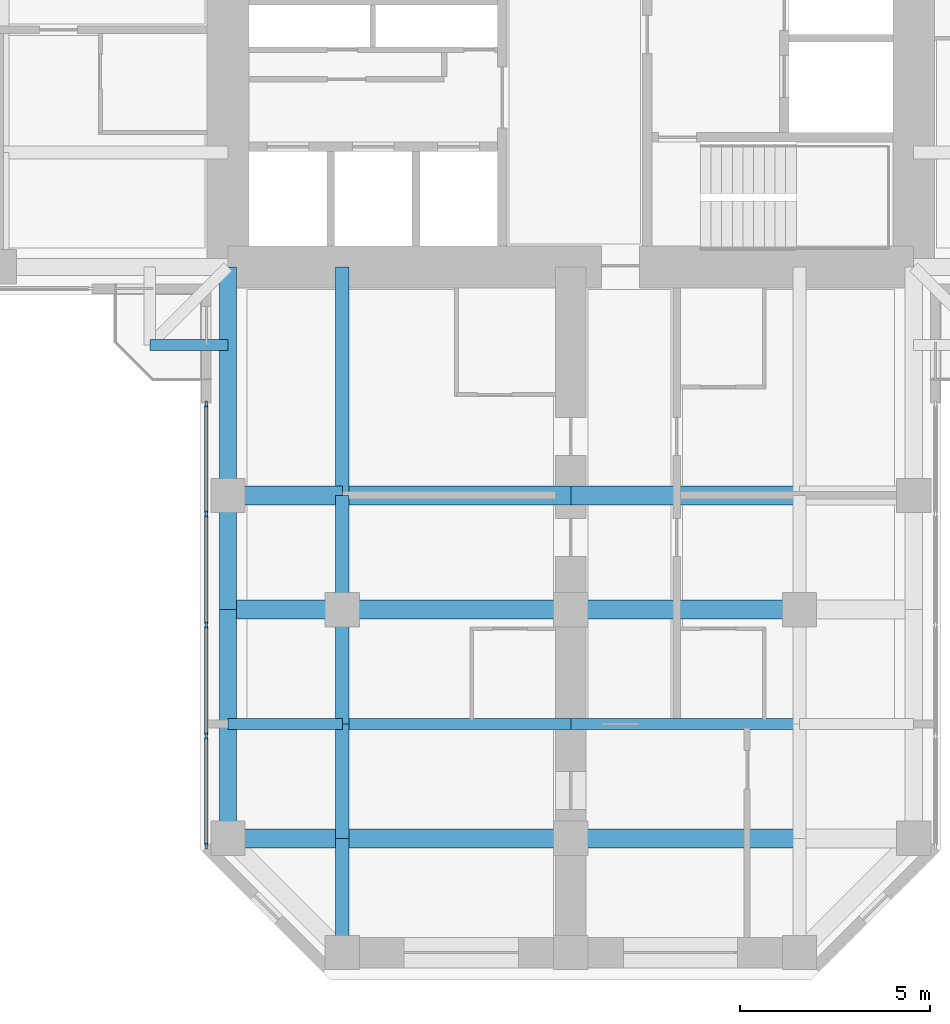
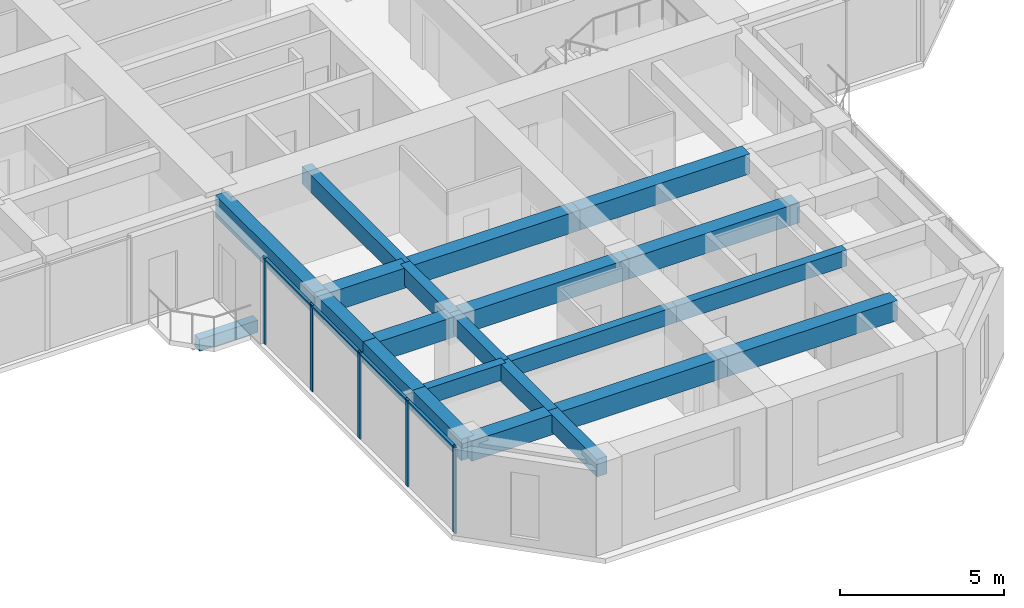
# One storey, part 2 of 14: 22 beams, 9 members, 1 element without a shape of its own.
"""IFC4 building model written with IfcOpenShell, lengths in metres."""

from ifc_helpers import new_model, si_unit, direction, frame, origin, origin_2d, place, context, subcontext, project, spatial, rectangle, extrude, material, material_profile, profile_set, type_object, element, aggregate, save


model = new_model("IFC4")

# Units and contexts
model_context = context("Model", 3, precision=1e-05, world=origin(), true_north=direction((0.0, 1.0)))
body_context = subcontext(model_context, "Body", "Model", "MODEL_VIEW")
ifc_project = project(units=[si_unit("LENGTHUNIT", "METRE"), si_unit("AREAUNIT", "SQUARE_METRE"), si_unit("VOLUMEUNIT", "CUBIC_METRE"), si_unit("PLANEANGLEUNIT", "RADIAN"), si_unit("MASSUNIT", "GRAM", prefix="KILO")], contexts=[model_context])

# Site, building, storey
site_placement = place(None, origin())
site = spatial("IfcSite", under=ifc_project, at=site_placement, CompositionType="ELEMENT")
building_placement = place(site_placement, origin())
building = spatial("IfcBuilding", under=site, at=building_placement, Name="Torre Cruceta", CompositionType="ELEMENT")
storey_placement = place(building_placement, frame((0.0, 0.0, 176.300048828125)))
storey = spatial("IfcBuildingStorey", under=building, at=storey_placement, Name="L43", CompositionType="ELEMENT", Elevation=176.300048828125)

# Beams
ifc_material_1 = material(Name="Concrete G60 (fck 60 MPa)", Category="concrete")
ifc_material_profile_1 = material_profile(ifc_material_1, rectangle(XDim=0.300048828125, YDim=0.449951171875, at=origin_2d()), Name="RC 300X450")
ifc_profile_set_1 = profile_set([ifc_material_profile_1], Name="Concrete G60 (fck 60 MPa)")
beam_type_1 = type_object("IfcBeamType", Name="BALCONY CANTILEVER BEAM RC 300X450", PredefinedType="BEAM", material=ifc_profile_set_1)
beam_1_placement = place(storey_placement, frame((-9.0, -11.050537109375, -0.405029296875), z_axis=(-1.0, 0.0, 0.0), x_axis=(0.0, -1.0, 0.0)))
element("IfcBeam", 1, at=beam_1_placement, inside=storey, type_object=beam_type_1, Name="BB1 balcony edge beam L43 W-Y", PredefinedType="BEAM", context=body_context, shape_type="SweptSolid", body=[
    extrude(rectangle(XDim=0.300048828125, YDim=0.449951171875, at=origin_2d()), origin(), (0.0, 0.0, 1.0), 2.050537109375),
])
ifc_material_2 = material(Name="Concrete G60 (fck 60 MPa)", Category="concrete")
ifc_material_profile_2 = material_profile(ifc_material_2, rectangle(XDim=0.35009765625, YDim=0.64990234375, at=origin_2d()), Name="RC 350X650")
ifc_profile_set_2 = profile_set([ifc_material_profile_2], Name="Concrete G60 (fck 60 MPa)")
beam_type_2 = type_object("IfcBeamType", Name="COLUMN LINE BEAM RC 350X650", PredefinedType="BEAM", material=ifc_profile_set_2)
beam_2_placement = place(storey_placement, frame((-6.0, -9.0, 2.89501953125), z_axis=(0.0, -1.0, 0.0), x_axis=(1.0, 0.0, 0.0)))
element("IfcBeam", 2, at=beam_2_placement, inside=storey, type_object=beam_type_2, Name="LB7 L43 S col- 1", PredefinedType="BEAM", context=body_context, shape_type="SweptSolid", body=[
    extrude(rectangle(XDim=0.35009765625, YDim=0.64990234375, at=origin_2d()), origin(), (0.0, 0.0, 1.0), 6.0),
])
for number, where, z_axis, x_axis, name in (
    (3, (-6.0, -15.0, 2.89501953125), (0.0, -1.0, 0.0), (1.0, 0.0, 0.0), "LB7 L43 S col- 2"),
    (4, (-6.0, -18.0, 2.89501953125), (0.0, -1.0, 0.0), (1.0, 0.0, 0.0), "LB7 L43 S col- 3"),
    (5, (-6.0, -21.0, 2.89501953125), (0.0, -1.0, 0.0), (1.0, 0.0, 0.0), "LB7 L43 S col- 4"),
    (6, (-6.0, -24.0, 2.89501953125), (0.0, -1.0, 0.0), (1.0, 0.0, 0.0), "LB7 L43 S col- 5"),
):
    element("IfcBeam", number, at=place(storey_placement, frame(where, z_axis=z_axis, x_axis=x_axis)), inside=storey, type_object=beam_type_2, Name=name, PredefinedType="BEAM", context=body_context, shape_type="SweptSolid", body=[
        extrude(rectangle(XDim=0.35009765625, YDim=0.64990234375, at=origin_2d()), origin(), (0.0, 0.0, 1.0), 3.0),
    ])
ifc_material_3 = material(Name="Concrete G60 (fck 60 MPa)", Category="concrete")
ifc_material_profile_3 = material_profile(ifc_material_3, rectangle(XDim=0.5, YDim=0.75, at=origin_2d()), Name="RC 500X750")
ifc_profile_set_3 = profile_set([ifc_material_profile_3], Name="Concrete G60 (fck 60 MPa)")
beam_type_3 = type_object("IfcBeamType", Name="CROSS BEAM RC 500X750", PredefinedType="BEAM", material=ifc_profile_set_3)
beam_3_placement = place(storey_placement, frame((-9.0, -15.0, 2.844970703125), z_axis=(1.0, 0.0, 0.0), x_axis=(0.0, 1.0, 0.0)))
element("IfcBeam", 7, at=beam_3_placement, inside=storey, type_object=beam_type_3, Name="GB6 L43 S cross15 1", PredefinedType="BEAM", context=body_context, shape_type="SweptSolid", body=[
    extrude(rectangle(XDim=0.5, YDim=0.75, at=origin_2d()), origin(), (0.0, 0.0, 1.0), 3.0),
])
for number, where, z_axis, x_axis, name in (
    (8, (-6.0, -15.0, 2.844970703125), (1.0, 0.0, 0.0), (0.0, 1.0, 0.0), "GB6 L43 S cross15 2"),
    (9, (0.0, -15.0, 2.844970703125), (1.0, 0.0, 0.0), (0.0, 1.0, 0.0), "GB6 L43 S cross15 3"),
):
    element("IfcBeam", number, at=place(storey_placement, frame(where, z_axis=z_axis, x_axis=x_axis)), inside=storey, type_object=beam_type_3, Name=name, PredefinedType="BEAM", context=body_context, shape_type="SweptSolid", body=[
        extrude(rectangle(XDim=0.5, YDim=0.75, at=origin_2d()), origin(), (0.0, 0.0, 1.0), 6.0),
    ])
beam_4_placement = place(storey_placement, frame((-9.0, -18.0, 2.844970703125), z_axis=(1.0, 0.0, 0.0), x_axis=(0.0, 1.0, 0.0)))
element("IfcBeam", 10, at=beam_4_placement, inside=storey, type_object=beam_type_3, Name="GB6 L43 S cross18 1", PredefinedType="BEAM", context=body_context, shape_type="SweptSolid", body=[
    extrude(rectangle(XDim=0.5, YDim=0.75, at=origin_2d()), origin(), (0.0, 0.0, 1.0), 3.0),
])
for number, where, z_axis, x_axis, name in (
    (11, (-6.0, -18.0, 2.844970703125), (1.0, 0.0, 0.0), (0.0, 1.0, 0.0), "GB6 L43 S cross18 2"),
    (12, (0.0, -18.0, 2.844970703125), (1.0, 0.0, 0.0), (0.0, 1.0, 0.0), "GB6 L43 S cross18 3"),
):
    element("IfcBeam", number, at=place(storey_placement, frame(where, z_axis=z_axis, x_axis=x_axis)), inside=storey, type_object=beam_type_3, Name=name, PredefinedType="BEAM", context=body_context, shape_type="SweptSolid", body=[
        extrude(rectangle(XDim=0.5, YDim=0.75, at=origin_2d()), origin(), (0.0, 0.0, 1.0), 6.0),
    ])
beam_5_placement = place(storey_placement, frame((-9.0, -24.0, 2.844970703125), z_axis=(1.0, 0.0, 0.0), x_axis=(0.0, 1.0, 0.0)))
element("IfcBeam", 13, at=beam_5_placement, inside=storey, type_object=beam_type_3, Name="GB6 L43 S cross24 1", PredefinedType="BEAM", context=body_context, shape_type="SweptSolid", body=[
    extrude(rectangle(XDim=0.5, YDim=0.75, at=origin_2d()), origin(), (0.0, 0.0, 1.0), 3.0),
])
for number, where, z_axis, x_axis, name in (
    (14, (-6.0, -24.0, 2.844970703125), (1.0, 0.0, 0.0), (0.0, 1.0, 0.0), "GB6 L43 S cross24 2"),
    (15, (0.0, -24.0, 2.844970703125), (1.0, 0.0, 0.0), (0.0, 1.0, 0.0), "GB6 L43 S cross24 3"),
):
    element("IfcBeam", number, at=place(storey_placement, frame(where, z_axis=z_axis, x_axis=x_axis)), inside=storey, type_object=beam_type_3, Name=name, PredefinedType="BEAM", context=body_context, shape_type="SweptSolid", body=[
        extrude(rectangle(XDim=0.5, YDim=0.75, at=origin_2d()), origin(), (0.0, 0.0, 1.0), 6.0),
    ])

# Curtain wall, members
ifc_material_4 = material(Name="Aluminium unitised curtain wall", Category="aluminium")
curtain_wall_type = type_object("IfcCurtainWallType", Name="CURTAIN WALL CW-C CO-LIVING", PredefinedType="USERDEFINED", material=ifc_material_4)
curtain_wall_placement = place(storey_placement, origin())
curtain_wall = element("IfcCurtainWall", 16, at=curtain_wall_placement, inside=storey, type_object=curtain_wall_type, Name="CW-C L43 S side 15", ObjectType="UNITISED", PredefinedType="USERDEFINED")
ifc_material_5 = material(Name="Aluminium mullion", Category="aluminium")
ifc_material_profile_4 = material_profile(ifc_material_5, rectangle(XDim=0.06005859375, YDim=0.159912109375, at=origin_2d()), Name="AL 60X160")
ifc_profile_set_4 = profile_set([ifc_material_profile_4], Name="Aluminium mullion")
member_type_1 = type_object("IfcMemberType", Name="CW-C MULLION 60X160", PredefinedType="MULLION", material=ifc_profile_set_4)
member_1_placement = place(storey_placement, frame((-9.570068359375, -12.60009765625, 0.0), z_axis=(0.0, 0.0, 1.0), x_axis=(1.0, 0.0, 0.0)))
member_1 = element("IfcMember", 17, at=member_1_placement, type_object=member_type_1, Name="CW-C mullion 1", PredefinedType="MULLION", context=body_context, shape_type="SweptSolid", body=[
    extrude(rectangle(XDim=0.06005859375, YDim=0.159912109375, at=origin_2d()), origin(), (0.0, 0.0, 1.0), 3.219970703125),
])
member_2_placement = place(storey_placement, frame((-9.570068359375, -15.486572265625, 0.0), z_axis=(0.0, 0.0, 1.0), x_axis=(1.0, 0.0, 0.0)))
member_2 = element("IfcMember", 18, at=member_2_placement, type_object=member_type_1, Name="CW-C mullion 2", PredefinedType="MULLION", context=body_context, shape_type="SweptSolid", body=[
    extrude(rectangle(XDim=0.06005859375, YDim=0.159912109375, at=origin_2d()), origin(), (0.0, 0.0, 1.0), 3.219970703125),
])
member_3_placement = place(storey_placement, frame((-9.570068359375, -18.403076171875, 0.0), z_axis=(0.0, 0.0, 1.0), x_axis=(1.0, 0.0, 0.0)))
member_3 = element("IfcMember", 19, at=member_3_placement, type_object=member_type_1, Name="CW-C mullion 3", PredefinedType="MULLION", context=body_context, shape_type="SweptSolid", body=[
    extrude(rectangle(XDim=0.06005859375, YDim=0.159912109375, at=origin_2d()), origin(), (0.0, 0.0, 1.0), 3.219970703125),
])
member_4_placement = place(storey_placement, frame((-9.570068359375, -21.319580078125, 0.0), z_axis=(0.0, 0.0, 1.0), x_axis=(1.0, 0.0, 0.0)))
member_4 = element("IfcMember", 20, at=member_4_placement, type_object=member_type_1, Name="CW-C mullion 4", PredefinedType="MULLION", context=body_context, shape_type="SweptSolid", body=[
    extrude(rectangle(XDim=0.06005859375, YDim=0.159912109375, at=origin_2d()), origin(), (0.0, 0.0, 1.0), 3.219970703125),
])
member_5_placement = place(storey_placement, frame((-9.570068359375, -24.2060546875, 0.0), z_axis=(0.0, 0.0, 1.0), x_axis=(1.0, 0.0, 0.0)))
member_5 = element("IfcMember", 21, at=member_5_placement, type_object=member_type_1, Name="CW-C mullion 5", PredefinedType="MULLION", context=body_context, shape_type="SweptSolid", body=[
    extrude(rectangle(XDim=0.06005859375, YDim=0.159912109375, at=origin_2d()), origin(), (0.0, 0.0, 1.0), 3.219970703125),
])
ifc_material_6 = material(Name="Aluminium transom", Category="aluminium")
ifc_material_profile_5 = material_profile(ifc_material_6, rectangle(XDim=0.10009765625, YDim=0.06005859375, at=origin_2d()), Name="AL 100X60")
ifc_profile_set_5 = profile_set([ifc_material_profile_5], Name="Aluminium transom")
member_type_2 = type_object("IfcMemberType", Name="CW-C TRANSOM 60X100", PredefinedType="USERDEFINED", material=ifc_profile_set_5)
member_6_placement = place(storey_placement, frame((-9.570068359375, -12.6298828125, 3.18994140625), z_axis=(0.0, -1.0, 0.0), x_axis=(1.0, 0.0, 0.0)))
member_6 = element("IfcMember", 22, at=member_6_placement, type_object=member_type_2, Name="CW-C transom 1", ObjectType="TRANSOM", PredefinedType="USERDEFINED", context=body_context, shape_type="SweptSolid", body=[
    extrude(rectangle(XDim=0.10009765625, YDim=0.06005859375, at=origin_2d()), origin(), (0.0, 0.0, 1.0), 2.82666015625),
])
member_7_placement = place(storey_placement, frame((-9.570068359375, -15.5166015625, 3.18994140625), z_axis=(0.0, -1.0, 0.0), x_axis=(1.0, 0.0, 0.0)))
member_7 = element("IfcMember", 23, at=member_7_placement, type_object=member_type_2, Name="CW-C transom 2", ObjectType="TRANSOM", PredefinedType="USERDEFINED", context=body_context, shape_type="SweptSolid", body=[
    extrude(rectangle(XDim=0.10009765625, YDim=0.06005859375, at=origin_2d()), origin(), (0.0, 0.0, 1.0), 2.8564453125),
])
member_8_placement = place(storey_placement, frame((-9.570068359375, -18.43310546875, 3.18994140625), z_axis=(0.0, -1.0, 0.0), x_axis=(1.0, 0.0, 0.0)))
member_8 = element("IfcMember", 24, at=member_8_placement, type_object=member_type_2, Name="CW-C transom 3", ObjectType="TRANSOM", PredefinedType="USERDEFINED", context=body_context, shape_type="SweptSolid", body=[
    extrude(rectangle(XDim=0.10009765625, YDim=0.06005859375, at=origin_2d()), origin(), (0.0, 0.0, 1.0), 2.8564453125),
])
member_9_placement = place(storey_placement, frame((-9.570068359375, -21.349609375, 3.18994140625), z_axis=(0.0, -1.0, 0.0), x_axis=(1.0, 0.0, 0.0)))
member_9 = element("IfcMember", 25, at=member_9_placement, type_object=member_type_2, Name="CW-C transom 4", ObjectType="TRANSOM", PredefinedType="USERDEFINED", context=body_context, shape_type="SweptSolid", body=[
    extrude(rectangle(XDim=0.10009765625, YDim=0.06005859375, at=origin_2d()), origin(), (0.0, 0.0, 1.0), 2.826416015625),
])
aggregate(curtain_wall, [member_1, member_2, member_3, member_4, member_5, member_6, member_7, member_8, member_9])

# Beams
ifc_material_7 = material(Name="Concrete G60 (fck 60 MPa)", Category="concrete")
ifc_material_profile_6 = material_profile(ifc_material_7, rectangle(XDim=0.300048828125, YDim=0.60009765625, at=origin_2d()), Name="RC 300X600")
ifc_profile_set_6 = profile_set([ifc_material_profile_6], Name="Concrete G60 (fck 60 MPa)")
beam_type_4 = type_object("IfcBeamType", Name="SECONDARY BEAM RC 300X600", PredefinedType="JOIST", material=ifc_profile_set_6)
beam_6_placement = place(storey_placement, frame((-9.0, -21.0, 2.919921875), z_axis=(1.0, 0.0, 0.0), x_axis=(0.0, 1.0, 0.0)))
element("IfcBeam", 26, at=beam_6_placement, inside=storey, type_object=beam_type_4, Name="JB6 L43 S sec21 1", PredefinedType="JOIST", context=body_context, shape_type="SweptSolid", body=[
    extrude(rectangle(XDim=0.300048828125, YDim=0.60009765625, at=origin_2d()), origin(), (0.0, 0.0, 1.0), 3.0),
])
for number, where, z_axis, x_axis, name in (
    (27, (-6.0, -21.0, 2.919921875), (1.0, 0.0, 0.0), (0.0, 1.0, 0.0), "JB6 L43 S sec21 2"),
    (28, (0.0, -21.0, 2.919921875), (1.0, 0.0, 0.0), (0.0, 1.0, 0.0), "JB6 L43 S sec21 3"),
):
    element("IfcBeam", number, at=place(storey_placement, frame(where, z_axis=z_axis, x_axis=x_axis)), inside=storey, type_object=beam_type_4, Name=name, PredefinedType="JOIST", context=body_context, shape_type="SweptSolid", body=[
        extrude(rectangle(XDim=0.300048828125, YDim=0.60009765625, at=origin_2d()), origin(), (0.0, 0.0, 1.0), 6.0),
    ])
ifc_material_8 = material(Name="Concrete G60 (fck 60 MPa)", Category="concrete")
ifc_material_profile_7 = material_profile(ifc_material_8, rectangle(XDim=0.449951171875, YDim=0.800048828125, at=origin_2d()), Name="RC 450X800")
ifc_profile_set_7 = profile_set([ifc_material_profile_7], Name="Concrete G60 (fck 60 MPa)")
beam_type_5 = type_object("IfcBeamType", Name="SPANDREL BEAM RC 450X800", PredefinedType="SPANDREL", material=ifc_profile_set_7)
beam_7_placement = place(storey_placement, frame((-9.0, -9.0, 2.820068359375), z_axis=(0.0, -1.0, 0.0), x_axis=(1.0, 0.0, 0.0)))
element("IfcBeam", 29, at=beam_7_placement, inside=storey, type_object=beam_type_5, Name="SB6 L43 S side- 1", PredefinedType="SPANDREL", context=body_context, shape_type="SweptSolid", body=[
    extrude(rectangle(XDim=0.449951171875, YDim=0.800048828125, at=origin_2d()), origin(), (0.0, 0.0, 1.0), 6.0),
])
for number, where, z_axis, x_axis, name in (
    (30, (-9.0, -15.0, 2.820068359375), (0.0, -1.0, 0.0), (1.0, 0.0, 0.0), "SB6 L43 S side- 2"),
    (31, (-9.0, -18.0, 2.820068359375), (0.0, -1.0, 0.0), (1.0, 0.0, 0.0), "SB6 L43 S side- 3"),
    (32, (-9.0, -21.0, 2.820068359375), (0.0, -1.0, 0.0), (1.0, 0.0, 0.0), "SB6 L43 S side- 4"),
):
    element("IfcBeam", number, at=place(storey_placement, frame(where, z_axis=z_axis, x_axis=x_axis)), inside=storey, type_object=beam_type_5, Name=name, PredefinedType="SPANDREL", context=body_context, shape_type="SweptSolid", body=[
        extrude(rectangle(XDim=0.449951171875, YDim=0.800048828125, at=origin_2d()), origin(), (0.0, 0.0, 1.0), 3.0),
    ])

save(model, "model.ifc")
